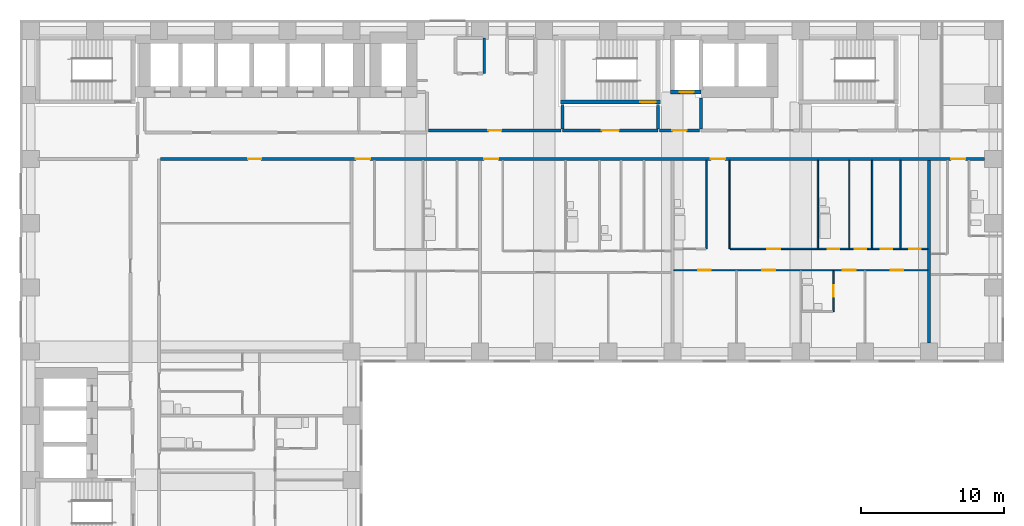
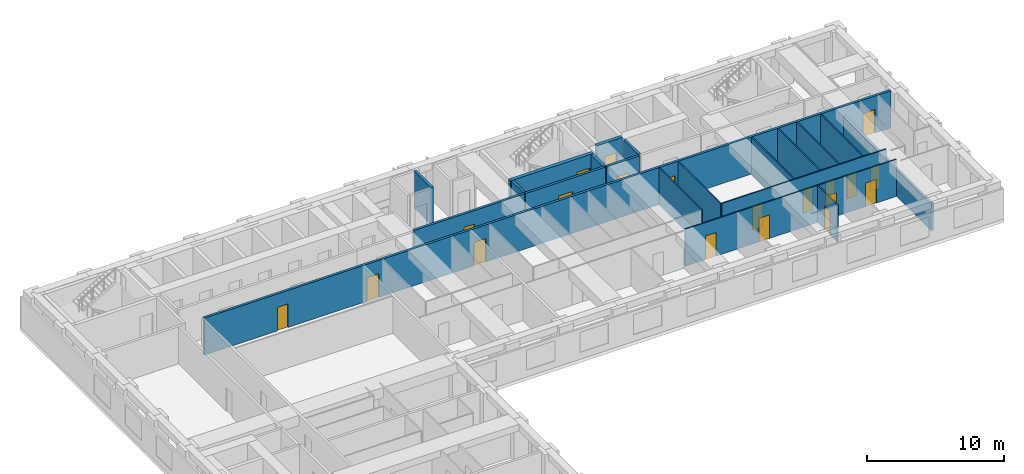
# One storey, part 7 of 11: 20 doors, 20 walls, 20 openings.
"""IFC4 building model written with IfcOpenShell, lengths in metres."""

from ifc_helpers import new_model, si_unit, direction, frame, frame_2d, origin, place, context, subcontext, project, spatial, rectangle, extrude, material, layer, layer_set, type_object, element, fill, save


model = new_model("IFC4")

# Units and contexts
model_context = context("Model", 3, precision=1e-05, world=origin(), true_north=direction((0.0, 1.0)))
body_context = subcontext(model_context, "Body", "Model", "MODEL_VIEW")
ifc_project = project(units=[si_unit("LENGTHUNIT", "METRE"), si_unit("AREAUNIT", "SQUARE_METRE"), si_unit("VOLUMEUNIT", "CUBIC_METRE"), si_unit("PLANEANGLEUNIT", "RADIAN"), si_unit("MASSUNIT", "GRAM", prefix="KILO")], contexts=[model_context])

# Site, building, storey
site_placement = place(None, origin())
site = spatial("IfcSite", under=ifc_project, at=site_placement, CompositionType="ELEMENT")
building_placement = place(site_placement, origin())
building = spatial("IfcBuilding", under=site, at=building_placement, Name="Firuza Court", CompositionType="ELEMENT")
storey_placement = place(building_placement, frame((0.0, 0.0, 86.60009765625)))
storey = spatial("IfcBuildingStorey", under=building, at=storey_placement, Name="L21", CompositionType="ELEMENT", Elevation=86.60009765625)

# Wall, opening, door
ifc_material_1 = material(Name="Moisture-resistant gypsum board partition")
ifc_layer_1 = layer(ifc_material_1, 0.10009765625)
ifc_layer_set_1 = layer_set([ifc_layer_1], Name="Moisture-resistant gypsum board partition")
wall_type_1 = type_object("IfcWallType", Name="Bathroom partition 100", PredefinedType="PLUMBINGWALL", material=ifc_layer_set_1)
wall_1_placement = place(storey_placement, frame((56.300048828125, 38.800048828125, 0.0), z_axis=(0.0, 0.0, 1.0), x_axis=(0.0, 1.0, 0.0)))
wall_1 = element("IfcWall", 1, at=wall_1_placement, inside=storey, type_object=wall_type_1, Name="Bathroom partition 100 L21", PredefinedType="PLUMBINGWALL", context=body_context, shape_type="SweptSolid", body=[
    extrude(rectangle(XDim=2.849853515625, YDim=0.10009765625, at=frame_2d((1.4248046875, 0.0))), origin(), (0.0, 0.0, 1.0), 3.2998046875),
])
opening_1_placement = place(wall_1_placement, frame((1.050048828125, 0.0, 0.0)))
opening_1 = element("IfcOpeningElement", 2, at=opening_1_placement, cuts=wall_1, Name="Opening D21042", PredefinedType="OPENING", context=body_context, shape_type="SweptSolid", body=[
    extrude(rectangle(XDim=0.800048828125, YDim=2.10009765625, at=frame_2d((0.39990234375, 1.050048828125))), frame((0.0, 0.06201171875, 0.0), z_axis=(0.0, -1.0, 0.0), x_axis=(1.0, 0.0, 0.0)), (0.0, 0.0, 1.0), 0.1240234375),
])
ifc_material_2 = material(Name="Timber door leaf in hardwood frame", Category="wood")
door_type_1 = type_object("IfcDoorType", Name="Bathroom door 800", OperationType="SINGLE_SWING_LEFT", PredefinedType="DOOR", material=ifc_material_2)
door_1_placement = place(opening_1_placement, origin())
door_1 = element("IfcDoor", 3, at=door_1_placement, inside=storey, type_object=door_type_1, Name="En-suite door", OperationType="SINGLE_SWING_LEFT", OverallHeight=2.10009765625, OverallWidth=0.800048828125, PredefinedType="DOOR", context=body_context, shape_type="SweptSolid", body=[
    extrude(rectangle(XDim=0.800048828125, YDim=2.10009765625, at=frame_2d((0.39990234375, 1.050048828125))), frame((0.0, 0.02490234375, 0.0), z_axis=(0.0, -1.0, 0.0), x_axis=(1.0, 0.0, 0.0)), (0.0, 0.0, 1.0), 0.050048828125),
])
fill(opening_1, door_1)

# Walls
wall_2_placement = place(storey_placement, frame((47.39990234375, 43.199951171875, 0.0), z_axis=(0.0, 0.0, 1.0), x_axis=(0.0, 1.0, 0.0)))
element("IfcWall", 4, at=wall_2_placement, inside=storey, type_object=wall_type_1, Name="Bathroom partition 100 L21", PredefinedType="PLUMBINGWALL", context=body_context, shape_type="SweptSolid", body=[
    extrude(rectangle(XDim=6.199951171875, YDim=0.10009765625, at=frame_2d((3.10009765625, 0.0))), origin(), (0.0, 0.0, 1.0), 3.2998046875),
])
for number, where, z_axis, x_axis, name in (
    (5, (55.199951171875, 43.25, 0.0), (0.0, 0.0, 1.0), (0.0, 1.0, 0.0), "Bathroom partition 100 L21"),
    (6, (57.39990234375, 43.25, 0.0), (0.0, 0.0, 1.0), (0.0, 1.0, 0.0), "Bathroom partition 100 L21"),
):
    element("IfcWall", number, at=place(storey_placement, frame(where, z_axis=z_axis, x_axis=x_axis)), inside=storey, type_object=wall_type_1, Name=name, PredefinedType="PLUMBINGWALL", context=body_context, shape_type="SweptSolid", body=[
        extrude(rectangle(XDim=6.14990234375, YDim=0.10009765625, at=frame_2d((3.074951171875, 0.0))), origin(), (0.0, 0.0, 1.0), 3.2998046875),
    ])

# Wall, opening, door
ifc_material_3 = material(Name="Concrete C60/75", Category="concrete")
ifc_layer_2 = layer(ifc_material_3, 0.300048828125)
ifc_layer_set_2 = layer_set([ifc_layer_2], Name="Concrete C60/75")
wall_type_2 = type_object("IfcWallType", Name="Core wall 300 C60/75", PredefinedType="SHEAR", material=ifc_layer_set_2)
wall_3_placement = place(storey_placement, frame((37.14990234375, 53.5, -0.300048828125), z_axis=(0.0, 0.0, 1.0), x_axis=(1.0, 0.0, 0.0)))
wall_3 = element("IfcWall", 7, at=wall_3_placement, inside=storey, type_object=wall_type_2, Name="Core wall stair L21", PredefinedType="SHEAR", context=body_context, shape_type="SweptSolid", body=[
    extrude(rectangle(XDim=7.0, YDim=0.300048828125, at=frame_2d((3.5, 0.0))), origin(), (0.0, 0.0, 1.0), 3.599853515625),
])
opening_2_placement = place(wall_3_placement, frame((5.580078125, 0.0, 0.300048828125)))
opening_2 = element("IfcOpeningElement", 8, at=opening_2_placement, cuts=wall_3, Name="Opening D21013", PredefinedType="OPENING", context=body_context, shape_type="SweptSolid", body=[
    extrude(rectangle(XDim=1.10009765625, YDim=2.10009765625, at=frame_2d((0.550048828125, 1.050048828125))), frame((0.0, 0.162109375, 0.0), z_axis=(0.0, -1.0, 0.0), x_axis=(1.0, 0.0, 0.0)), (0.0, 0.0, 1.0), 0.323974609375),
])
ifc_material_4 = material(Name="Timber door leaf in hardwood frame", Category="wood")
door_type_2 = type_object("IfcDoorType", Name="Stair door 1100", OperationType="SINGLE_SWING_LEFT", PredefinedType="DOOR", material=ifc_material_4)
door_2_placement = place(opening_2_placement, origin())
door_2 = element("IfcDoor", 9, at=door_2_placement, inside=storey, type_object=door_type_2, Name="Stair door S1", OperationType="SINGLE_SWING_RIGHT", OverallHeight=2.10009765625, OverallWidth=1.10009765625, PredefinedType="DOOR", context=body_context, shape_type="SweptSolid", body=[
    extrude(rectangle(XDim=1.10009765625, YDim=2.10009765625, at=frame_2d((0.550048828125, 1.050048828125))), frame((0.0, 0.02490234375, 0.0), z_axis=(0.0, -1.0, 0.0), x_axis=(1.0, 0.0, 0.0)), (0.0, 0.0, 1.0), 0.050048828125),
])
fill(opening_2, door_2)

wall_4_placement = place(storey_placement, frame((44.85009765625, 54.199951171875, -0.300048828125), z_axis=(0.0, 0.0, 1.0), x_axis=(1.0, 0.0, 0.0)))
wall_4 = element("IfcWall", 10, at=wall_4_placement, inside=storey, type_object=wall_type_2, Name="Core wall riser L21", PredefinedType="SHEAR", context=body_context, shape_type="SweptSolid", body=[
    extrude(rectangle(XDim=2.14990234375, YDim=0.300048828125, at=frame_2d((1.074951171875, 0.0))), origin(), (0.0, 0.0, 1.0), 3.599853515625),
])
opening_3_placement = place(wall_4_placement, frame((0.64990234375, 0.0, 0.300048828125)))
opening_3 = element("IfcOpeningElement", 11, at=opening_3_placement, cuts=wall_4, Name="Opening D21011", PredefinedType="OPENING", context=body_context, shape_type="SweptSolid", body=[
    extrude(rectangle(XDim=1.0, YDim=2.10009765625, at=frame_2d((0.5, 1.050048828125))), frame((0.0, 0.162109375, 0.0), z_axis=(0.0, -1.0, 0.0), x_axis=(1.0, 0.0, 0.0)), (0.0, 0.0, 1.0), 0.323974609375),
])
ifc_material_5 = material(Name="Timber door leaf in hardwood frame", Category="wood")
door_type_3 = type_object("IfcDoorType", Name="Riser door 1000", OperationType="SINGLE_SWING_LEFT", PredefinedType="DOOR", material=ifc_material_5)
door_3_placement = place(opening_3_placement, origin())
door_3 = element("IfcDoor", 12, at=door_3_placement, inside=storey, type_object=door_type_3, Name="Riser door R3", OperationType="SINGLE_SWING_LEFT", OverallHeight=2.10009765625, OverallWidth=1.0, PredefinedType="DOOR", context=body_context, shape_type="SweptSolid", body=[
    extrude(rectangle(XDim=1.0, YDim=2.10009765625, at=frame_2d((0.5, 1.050048828125))), frame((0.0, 0.02490234375, 0.0), z_axis=(0.0, -1.0, 0.0), x_axis=(1.0, 0.0, 0.0)), (0.0, 0.0, 1.0), 0.050048828125),
])
fill(opening_3, door_3)

# Wall, openings, doors
ifc_material_6 = material(Name="Blockwork, plastered both sides", Category="masonry")
ifc_layer_3 = layer(ifc_material_6, 0.199951171875)
ifc_layer_set_3 = layer_set([ifc_layer_3], Name="Blockwork, plastered both sides")
wall_type_3 = type_object("IfcWallType", Name="Corridor wall 200", PredefinedType="PARTITIONING", material=ifc_layer_set_3)
wall_5_placement = place(storey_placement, frame((9.10009765625, 49.5, 0.0), z_axis=(0.0, 0.0, 1.0), x_axis=(1.0, 0.0, 0.0)))
wall_5 = element("IfcWall", 13, at=wall_5_placement, inside=storey, type_object=wall_type_3, Name="Corridor wall 200 L21", PredefinedType="PARTITIONING", context=body_context, shape_type="SweptSolid", body=[
    extrude(rectangle(XDim=57.7998046875, YDim=0.199951171875, at=frame_2d((28.89990234375, 0.0))), origin(), (0.0, 0.0, 1.0), 3.2998046875),
])
opening_4_placement = place(wall_5_placement, frame((13.699951171875, 0.0, 0.0)))
opening_4 = element("IfcOpeningElement", 14, at=opening_4_placement, cuts=wall_5, Name="Opening D21068", PredefinedType="OPENING", context=body_context, shape_type="SweptSolid", body=[
    extrude(rectangle(XDim=1.0, YDim=2.10009765625, at=frame_2d((0.5, 1.050048828125))), frame((0.0, 0.11181640625, 0.0), z_axis=(0.0, -1.0, 0.0), x_axis=(1.0, 0.0, 0.0)), (0.0, 0.0, 1.0), 0.223876953125),
])
opening_5_placement = place(wall_5_placement, frame((22.699951171875, 0.0, 0.0)))
opening_5 = element("IfcOpeningElement", 15, at=opening_5_placement, cuts=wall_5, Name="Opening D21069", PredefinedType="OPENING", context=body_context, shape_type="SweptSolid", body=[
    extrude(rectangle(XDim=1.0, YDim=2.10009765625, at=frame_2d((0.5, 1.050048828125))), frame((0.0, 0.11181640625, 0.0), z_axis=(0.0, -1.0, 0.0), x_axis=(1.0, 0.0, 0.0)), (0.0, 0.0, 1.0), 0.223876953125),
])
opening_6_placement = place(wall_5_placement, frame((38.60009765625, 0.0, 0.0)))
opening_6 = element("IfcOpeningElement", 16, at=opening_6_placement, cuts=wall_5, Name="Opening D21070", PredefinedType="OPENING", context=body_context, shape_type="SweptSolid", body=[
    extrude(rectangle(XDim=1.0, YDim=2.10009765625, at=frame_2d((0.5, 1.050048828125))), frame((0.0, 0.11181640625, 0.0), z_axis=(0.0, -1.0, 0.0), x_axis=(1.0, 0.0, 0.0)), (0.0, 0.0, 1.0), 0.223876953125),
])
opening_7_placement = place(wall_5_placement, frame((55.449951171875, 0.0, 0.0)))
opening_7 = element("IfcOpeningElement", 17, at=opening_7_placement, cuts=wall_5, Name="Opening D21071", PredefinedType="OPENING", context=body_context, shape_type="SweptSolid", body=[
    extrude(rectangle(XDim=1.0, YDim=2.10009765625, at=frame_2d((0.5, 1.050048828125))), frame((0.0, 0.11181640625, 0.0), z_axis=(0.0, -1.0, 0.0), x_axis=(1.0, 0.0, 0.0)), (0.0, 0.0, 1.0), 0.223876953125),
])
opening_8_placement = place(wall_5_placement, frame((6.14990234375, 0.0, 0.0)))
opening_8 = element("IfcOpeningElement", 18, at=opening_8_placement, cuts=wall_5, Name="Opening D21072", PredefinedType="OPENING", context=body_context, shape_type="SweptSolid", body=[
    extrude(rectangle(XDim=0.89990234375, YDim=2.10009765625, at=frame_2d((0.449951171875, 1.050048828125))), frame((0.0, 0.11181640625, 0.0), z_axis=(0.0, -1.0, 0.0), x_axis=(1.0, 0.0, 0.0)), (0.0, 0.0, 1.0), 0.223876953125),
])
ifc_material_7 = material(Name="Timber door leaf in hardwood frame", Category="wood")
door_type_4 = type_object("IfcDoorType", Name="Flat entrance door 1000", OperationType="SINGLE_SWING_LEFT", PredefinedType="DOOR", material=ifc_material_7)
door_4_placement = place(opening_4_placement, origin())
door_4 = element("IfcDoor", 19, at=door_4_placement, inside=storey, type_object=door_type_4, Name="Flat entrance door", OperationType="SINGLE_SWING_LEFT", OverallHeight=2.10009765625, OverallWidth=1.0, PredefinedType="DOOR", context=body_context, shape_type="SweptSolid", body=[
    extrude(rectangle(XDim=1.0, YDim=2.10009765625, at=frame_2d((0.5, 1.050048828125))), frame((0.0, 0.02490234375, 0.0), z_axis=(0.0, -1.0, 0.0), x_axis=(1.0, 0.0, 0.0)), (0.0, 0.0, 1.0), 0.050048828125),
])
fill(opening_4, door_4)
door_5_placement = place(opening_5_placement, origin())
door_5 = element("IfcDoor", 20, at=door_5_placement, inside=storey, type_object=door_type_4, Name="Flat entrance door", OperationType="SINGLE_SWING_LEFT", OverallHeight=2.10009765625, OverallWidth=1.0, PredefinedType="DOOR", context=body_context, shape_type="SweptSolid", body=[
    extrude(rectangle(XDim=1.0, YDim=2.10009765625, at=frame_2d((0.5, 1.050048828125))), frame((0.0, 0.02490234375, 0.0), z_axis=(0.0, -1.0, 0.0), x_axis=(1.0, 0.0, 0.0)), (0.0, 0.0, 1.0), 0.050048828125),
])
fill(opening_5, door_5)
door_6_placement = place(opening_6_placement, origin())
door_6 = element("IfcDoor", 21, at=door_6_placement, inside=storey, type_object=door_type_4, Name="Flat entrance door", OperationType="SINGLE_SWING_LEFT", OverallHeight=2.10009765625, OverallWidth=1.0, PredefinedType="DOOR", context=body_context, shape_type="SweptSolid", body=[
    extrude(rectangle(XDim=1.0, YDim=2.10009765625, at=frame_2d((0.5, 1.050048828125))), frame((0.0, 0.02490234375, 0.0), z_axis=(0.0, -1.0, 0.0), x_axis=(1.0, 0.0, 0.0)), (0.0, 0.0, 1.0), 0.050048828125),
])
fill(opening_6, door_6)
door_7_placement = place(opening_7_placement, origin())
door_7 = element("IfcDoor", 22, at=door_7_placement, inside=storey, type_object=door_type_4, Name="Flat entrance door", OperationType="SINGLE_SWING_RIGHT", OverallHeight=2.10009765625, OverallWidth=1.0, PredefinedType="DOOR", context=body_context, shape_type="SweptSolid", body=[
    extrude(rectangle(XDim=1.0, YDim=2.10009765625, at=frame_2d((0.5, 1.050048828125))), frame((0.0, 0.02490234375, 0.0), z_axis=(0.0, -1.0, 0.0), x_axis=(1.0, 0.0, 0.0)), (0.0, 0.0, 1.0), 0.050048828125),
])
fill(opening_7, door_7)
ifc_material_8 = material(Name="Timber door leaf in hardwood frame", Category="wood")
door_type_5 = type_object("IfcDoorType", Name="Room door 900 EI 30", OperationType="SINGLE_SWING_LEFT", PredefinedType="DOOR", material=ifc_material_8)
door_8_placement = place(opening_8_placement, frame((0.89990234375, 0.0, 0.0), z_axis=(0.0, 0.0, 1.0), x_axis=(-1.0, 0.0, 0.0)))
door_8 = element("IfcDoor", 23, at=door_8_placement, inside=storey, type_object=door_type_5, Name="Library door", OperationType="SINGLE_SWING_RIGHT", OverallHeight=2.10009765625, OverallWidth=0.89990234375, PredefinedType="DOOR", context=body_context, shape_type="SweptSolid", body=[
    extrude(rectangle(XDim=0.89990234375, YDim=2.10009765625, at=frame_2d((0.449951171875, 1.050048828125))), frame((0.0, 0.02490234375, 0.0), z_axis=(0.0, -1.0, 0.0), x_axis=(1.0, 0.0, 0.0)), (0.0, 0.0, 1.0), 0.050048828125),
])
fill(opening_8, door_8)

# Wall, opening, door
wall_6_placement = place(storey_placement, frame((27.89990234375, 51.5, 0.0), z_axis=(0.0, 0.0, 1.0), x_axis=(1.0, 0.0, 0.0)))
wall_6 = element("IfcWall", 24, at=wall_6_placement, inside=storey, type_object=wall_type_3, Name="Corridor wall 200 L21", PredefinedType="PARTITIONING", context=body_context, shape_type="SweptSolid", body=[
    extrude(rectangle(XDim=9.300048828125, YDim=0.199951171875, at=frame_2d((4.64990234375, 0.0))), origin(), (0.0, 0.0, 1.0), 3.2998046875),
])
opening_9_placement = place(wall_6_placement, frame((4.199951171875, 0.0, 0.0)))
opening_9 = element("IfcOpeningElement", 25, at=opening_9_placement, cuts=wall_6, Name="Opening D21073", PredefinedType="OPENING", context=body_context, shape_type="SweptSolid", body=[
    extrude(rectangle(XDim=0.89990234375, YDim=2.10009765625, at=frame_2d((0.449951171875, 1.050048828125))), frame((0.0, 0.11181640625, 0.0), z_axis=(0.0, -1.0, 0.0), x_axis=(1.0, 0.0, 0.0)), (0.0, 0.0, 1.0), 0.223876953125),
])
door_9_placement = place(opening_9_placement, origin())
door_9 = element("IfcDoor", 26, at=door_9_placement, inside=storey, type_object=door_type_5, Name="Meeting room door", OperationType="SINGLE_SWING_LEFT", OverallHeight=2.10009765625, OverallWidth=0.89990234375, PredefinedType="DOOR", context=body_context, shape_type="SweptSolid", body=[
    extrude(rectangle(XDim=0.89990234375, YDim=2.10009765625, at=frame_2d((0.449951171875, 1.050048828125))), frame((0.0, 0.02490234375, 0.0), z_axis=(0.0, -1.0, 0.0), x_axis=(1.0, 0.0, 0.0)), (0.0, 0.0, 1.0), 0.050048828125),
])
fill(opening_9, door_9)

wall_7_placement = place(storey_placement, frame((44.10009765625, 51.5, 0.0), z_axis=(0.0, 0.0, 1.0), x_axis=(1.0, 0.0, 0.0)))
wall_7 = element("IfcWall", 27, at=wall_7_placement, inside=storey, type_object=wall_type_3, Name="Corridor wall 200 L21", PredefinedType="PARTITIONING", context=body_context, shape_type="SweptSolid", body=[
    extrude(rectangle(XDim=2.7998046875, YDim=0.199951171875, at=frame_2d((1.39990234375, 0.0))), origin(), (0.0, 0.0, 1.0), 3.2998046875),
])
opening_10_placement = place(wall_7_placement, frame((0.89990234375, 0.0, 0.0)))
opening_10 = element("IfcOpeningElement", 28, at=opening_10_placement, cuts=wall_7, Name="Opening D21074", PredefinedType="OPENING", context=body_context, shape_type="SweptSolid", body=[
    extrude(rectangle(XDim=1.0, YDim=2.10009765625, at=frame_2d((0.5, 1.050048828125))), frame((0.0, 0.11181640625, 0.0), z_axis=(0.0, -1.0, 0.0), x_axis=(1.0, 0.0, 0.0)), (0.0, 0.0, 1.0), 0.223876953125),
])
ifc_material_9 = material(Name="Timber door leaf in hardwood frame", Category="wood")
door_type_6 = type_object("IfcDoorType", Name="Store door 1000", OperationType="SINGLE_SWING_LEFT", PredefinedType="DOOR", material=ifc_material_9)
door_10_placement = place(opening_10_placement, origin())
door_10 = element("IfcDoor", 29, at=door_10_placement, inside=storey, type_object=door_type_6, Name="Valet store door", OperationType="SINGLE_SWING_LEFT", OverallHeight=2.10009765625, OverallWidth=1.0, PredefinedType="DOOR", context=body_context, shape_type="SweptSolid", body=[
    extrude(rectangle(XDim=1.0, YDim=2.10009765625, at=frame_2d((0.5, 1.050048828125))), frame((0.0, 0.02490234375, 0.0), z_axis=(0.0, -1.0, 0.0), x_axis=(1.0, 0.0, 0.0)), (0.0, 0.0, 1.0), 0.050048828125),
])
fill(opening_10, door_10)

# Wall, openings, doors
ifc_material_10 = material(Name="Timber stud partition, plasterboard both sides", Category="wood")
ifc_layer_4 = layer(ifc_material_10, 0.10009765625)
ifc_layer_set_4 = layer_set([ifc_layer_4], Name="Timber stud partition, plasterboard both sides")
wall_type_4 = type_object("IfcWallType", Name="Partition wall 100", PredefinedType="PARTITIONING", material=ifc_layer_set_4)
wall_8_placement = place(storey_placement, frame((45.10009765625, 41.699951171875, 0.0), z_axis=(0.0, 0.0, 1.0), x_axis=(1.0, 0.0, 0.0)))
wall_8 = element("IfcWall", 30, at=wall_8_placement, inside=storey, type_object=wall_type_4, Name="Partition wall 100 L21", PredefinedType="PARTITIONING", context=body_context, shape_type="SweptSolid", body=[
    extrude(rectangle(XDim=17.7998046875, YDim=0.10009765625, at=frame_2d((8.89990234375, 0.0))), origin(), (0.0, 0.0, 1.0), 3.2998046875),
])
opening_11_placement = place(wall_8_placement, frame((1.699951171875, 0.0, 0.0)))
opening_11 = element("IfcOpeningElement", 31, at=opening_11_placement, cuts=wall_8, Name="Opening D21048", PredefinedType="OPENING", context=body_context, shape_type="SweptSolid", body=[
    extrude(rectangle(XDim=0.89990234375, YDim=2.10009765625, at=frame_2d((0.449951171875, 1.050048828125))), frame((0.0, 0.06201171875, 0.0), z_axis=(0.0, -1.0, 0.0), x_axis=(1.0, 0.0, 0.0)), (0.0, 0.0, 1.0), 0.1240234375),
])
opening_12_placement = place(wall_8_placement, frame((6.199951171875, 0.0, 0.0)))
opening_12 = element("IfcOpeningElement", 32, at=opening_12_placement, cuts=wall_8, Name="Opening D21049", PredefinedType="OPENING", context=body_context, shape_type="SweptSolid", body=[
    extrude(rectangle(XDim=0.89990234375, YDim=2.10009765625, at=frame_2d((0.449951171875, 1.050048828125))), frame((0.0, 0.06201171875, 0.0), z_axis=(0.0, -1.0, 0.0), x_axis=(1.0, 0.0, 0.0)), (0.0, 0.0, 1.0), 0.1240234375),
])
opening_13_placement = place(wall_8_placement, frame((11.85009765625, 0.0, 0.0)))
opening_13 = element("IfcOpeningElement", 33, at=opening_13_placement, cuts=wall_8, Name="Opening D21050", PredefinedType="OPENING", context=body_context, shape_type="SweptSolid", body=[
    extrude(rectangle(XDim=0.89990234375, YDim=2.10009765625, at=frame_2d((0.449951171875, 1.050048828125))), frame((0.0, 0.06201171875, 0.0), z_axis=(0.0, -1.0, 0.0), x_axis=(1.0, 0.0, 0.0)), (0.0, 0.0, 1.0), 0.1240234375),
])
opening_14_placement = place(wall_8_placement, frame((15.199951171875, 0.0, 0.0)))
opening_14 = element("IfcOpeningElement", 34, at=opening_14_placement, cuts=wall_8, Name="Opening D21051", PredefinedType="OPENING", context=body_context, shape_type="SweptSolid", body=[
    extrude(rectangle(XDim=0.89990234375, YDim=2.10009765625, at=frame_2d((0.449951171875, 1.050048828125))), frame((0.0, 0.06201171875, 0.0), z_axis=(0.0, -1.0, 0.0), x_axis=(1.0, 0.0, 0.0)), (0.0, 0.0, 1.0), 0.1240234375),
])
ifc_material_11 = material(Name="Timber door leaf in hardwood frame", Category="wood")
door_type_7 = type_object("IfcDoorType", Name="Room door 900", OperationType="SINGLE_SWING_LEFT", PredefinedType="DOOR", material=ifc_material_11)
door_11_placement = place(opening_11_placement, frame((0.89990234375, 0.0, 0.0), z_axis=(0.0, 0.0, 1.0), x_axis=(-1.0, 0.0, 0.0)))
door_11 = element("IfcDoor", 35, at=door_11_placement, inside=storey, type_object=door_type_7, Name="Bedroom door", OperationType="SINGLE_SWING_RIGHT", OverallHeight=2.10009765625, OverallWidth=0.89990234375, PredefinedType="DOOR", context=body_context, shape_type="SweptSolid", body=[
    extrude(rectangle(XDim=0.89990234375, YDim=2.10009765625, at=frame_2d((0.449951171875, 1.050048828125))), frame((0.0, 0.02490234375, 0.0), z_axis=(0.0, -1.0, 0.0), x_axis=(1.0, 0.0, 0.0)), (0.0, 0.0, 1.0), 0.050048828125),
])
fill(opening_11, door_11)
door_12_placement = place(opening_12_placement, frame((0.89990234375, 0.0, 0.0), z_axis=(0.0, 0.0, 1.0), x_axis=(-1.0, 0.0, 0.0)))
door_12 = element("IfcDoor", 36, at=door_12_placement, inside=storey, type_object=door_type_7, Name="Living room door", OperationType="SINGLE_SWING_RIGHT", OverallHeight=2.10009765625, OverallWidth=0.89990234375, PredefinedType="DOOR", context=body_context, shape_type="SweptSolid", body=[
    extrude(rectangle(XDim=0.89990234375, YDim=2.10009765625, at=frame_2d((0.449951171875, 1.050048828125))), frame((0.0, 0.02490234375, 0.0), z_axis=(0.0, -1.0, 0.0), x_axis=(1.0, 0.0, 0.0)), (0.0, 0.0, 1.0), 0.050048828125),
])
fill(opening_12, door_12)
door_13_placement = place(opening_13_placement, frame((0.89990234375, 0.0, 0.0), z_axis=(0.0, 0.0, 1.0), x_axis=(-1.0, 0.0, 0.0)))
door_13 = element("IfcDoor", 37, at=door_13_placement, inside=storey, type_object=door_type_7, Name="Bedroom door", OperationType="SINGLE_SWING_RIGHT", OverallHeight=2.10009765625, OverallWidth=0.89990234375, PredefinedType="DOOR", context=body_context, shape_type="SweptSolid", body=[
    extrude(rectangle(XDim=0.89990234375, YDim=2.10009765625, at=frame_2d((0.449951171875, 1.050048828125))), frame((0.0, 0.02490234375, 0.0), z_axis=(0.0, -1.0, 0.0), x_axis=(1.0, 0.0, 0.0)), (0.0, 0.0, 1.0), 0.050048828125),
])
fill(opening_13, door_13)
door_14_placement = place(opening_14_placement, frame((0.89990234375, 0.0, 0.0), z_axis=(0.0, 0.0, 1.0), x_axis=(-1.0, 0.0, 0.0)))
door_14 = element("IfcDoor", 38, at=door_14_placement, inside=storey, type_object=door_type_7, Name="Bedroom door", OperationType="SINGLE_SWING_RIGHT", OverallHeight=2.10009765625, OverallWidth=0.89990234375, PredefinedType="DOOR", context=body_context, shape_type="SweptSolid", body=[
    extrude(rectangle(XDim=0.89990234375, YDim=2.10009765625, at=frame_2d((0.449951171875, 1.050048828125))), frame((0.0, 0.02490234375, 0.0), z_axis=(0.0, -1.0, 0.0), x_axis=(1.0, 0.0, 0.0)), (0.0, 0.0, 1.0), 0.050048828125),
])
fill(opening_14, door_14)

# Wall
wall_9_placement = place(storey_placement, frame((49.0, 43.199951171875, 0.0), z_axis=(0.0, 0.0, 1.0), x_axis=(0.0, 1.0, 0.0)))
element("IfcWall", 39, at=wall_9_placement, inside=storey, type_object=wall_type_4, Name="Partition wall 100 L21", PredefinedType="PARTITIONING", context=body_context, shape_type="SweptSolid", body=[
    extrude(rectangle(XDim=6.199951171875, YDim=0.10009765625, at=frame_2d((3.10009765625, 0.0))), origin(), (0.0, 0.0, 1.0), 3.2998046875),
])

# Wall, openings, doors
wall_10_placement = place(storey_placement, frame((49.050048828125, 43.199951171875, 0.0), z_axis=(0.0, 0.0, 1.0), x_axis=(1.0, 0.0, 0.0)))
wall_10 = element("IfcWall", 40, at=wall_10_placement, inside=storey, type_object=wall_type_4, Name="Partition wall 100 L21", PredefinedType="PARTITIONING", context=body_context, shape_type="SweptSolid", body=[
    extrude(rectangle(XDim=13.849853515625, YDim=0.10009765625, at=frame_2d((6.9248046875, 0.0))), origin(), (0.0, 0.0, 1.0), 3.2998046875),
])
opening_15_placement = place(wall_10_placement, frame((6.85009765625, 0.0, 0.0)))
opening_15 = element("IfcOpeningElement", 41, at=opening_15_placement, cuts=wall_10, Name="Opening D21062", PredefinedType="OPENING", context=body_context, shape_type="SweptSolid", body=[
    extrude(rectangle(XDim=0.800048828125, YDim=2.10009765625, at=frame_2d((0.39990234375, 1.050048828125))), frame((0.0, 0.06201171875, 0.0), z_axis=(0.0, -1.0, 0.0), x_axis=(1.0, 0.0, 0.0)), (0.0, 0.0, 1.0), 0.1240234375),
])
opening_16_placement = place(wall_10_placement, frame((2.60009765625, 0.0, 0.0)))
opening_16 = element("IfcOpeningElement", 42, at=opening_16_placement, cuts=wall_10, Name="Opening D21063", PredefinedType="OPENING", context=body_context, shape_type="SweptSolid", body=[
    extrude(rectangle(XDim=0.89990234375, YDim=2.10009765625, at=frame_2d((0.449951171875, 1.050048828125))), frame((0.0, 0.06201171875, 0.0), z_axis=(0.0, -1.0, 0.0), x_axis=(1.0, 0.0, 0.0)), (0.0, 0.0, 1.0), 0.1240234375),
])
opening_17_placement = place(wall_10_placement, frame((12.550048828125, 0.0, 0.0)))
opening_17 = element("IfcOpeningElement", 43, at=opening_17_placement, cuts=wall_10, Name="Opening D21064", PredefinedType="OPENING", context=body_context, shape_type="SweptSolid", body=[
    extrude(rectangle(XDim=0.800048828125, YDim=2.10009765625, at=frame_2d((0.39990234375, 1.050048828125))), frame((0.0, 0.06201171875, 0.0), z_axis=(0.0, -1.0, 0.0), x_axis=(1.0, 0.0, 0.0)), (0.0, 0.0, 1.0), 0.1240234375),
])
opening_18_placement = place(wall_10_placement, frame((8.75, 0.0, 0.0)))
opening_18 = element("IfcOpeningElement", 44, at=opening_18_placement, cuts=wall_10, Name="Opening D21065", PredefinedType="OPENING", context=body_context, shape_type="SweptSolid", body=[
    extrude(rectangle(XDim=0.800048828125, YDim=2.10009765625, at=frame_2d((0.39990234375, 1.050048828125))), frame((0.0, 0.06201171875, 0.0), z_axis=(0.0, -1.0, 0.0), x_axis=(1.0, 0.0, 0.0)), (0.0, 0.0, 1.0), 0.1240234375),
])
opening_19_placement = place(wall_10_placement, frame((10.550048828125, 0.0, 0.0)))
opening_19 = element("IfcOpeningElement", 45, at=opening_19_placement, cuts=wall_10, Name="Opening D21066", PredefinedType="OPENING", context=body_context, shape_type="SweptSolid", body=[
    extrude(rectangle(XDim=0.800048828125, YDim=2.10009765625, at=frame_2d((0.39990234375, 1.050048828125))), frame((0.0, 0.06201171875, 0.0), z_axis=(0.0, -1.0, 0.0), x_axis=(1.0, 0.0, 0.0)), (0.0, 0.0, 1.0), 0.1240234375),
])
door_15_placement = place(opening_15_placement, origin())
door_15 = element("IfcDoor", 46, at=door_15_placement, inside=storey, type_object=door_type_1, Name="Bathroom 2 door", OperationType="SINGLE_SWING_LEFT", OverallHeight=2.10009765625, OverallWidth=0.800048828125, PredefinedType="DOOR", context=body_context, shape_type="SweptSolid", body=[
    extrude(rectangle(XDim=0.800048828125, YDim=2.10009765625, at=frame_2d((0.39990234375, 1.050048828125))), frame((0.0, 0.02490234375, 0.0), z_axis=(0.0, -1.0, 0.0), x_axis=(1.0, 0.0, 0.0)), (0.0, 0.0, 1.0), 0.050048828125),
])
fill(opening_15, door_15)
ifc_material_12 = material(Name="Timber door leaf in hardwood frame", Category="wood")
door_type_8 = type_object("IfcDoorType", Name="Room door 800", OperationType="SINGLE_SWING_LEFT", PredefinedType="DOOR", material=ifc_material_12)
door_16_placement = place(opening_17_placement, origin())
door_16 = element("IfcDoor", 47, at=door_16_placement, inside=storey, type_object=door_type_8, Name="Pantry door", OperationType="SINGLE_SWING_LEFT", OverallHeight=2.10009765625, OverallWidth=0.800048828125, PredefinedType="DOOR", context=body_context, shape_type="SweptSolid", body=[
    extrude(rectangle(XDim=0.800048828125, YDim=2.10009765625, at=frame_2d((0.39990234375, 1.050048828125))), frame((0.0, 0.02490234375, 0.0), z_axis=(0.0, -1.0, 0.0), x_axis=(1.0, 0.0, 0.0)), (0.0, 0.0, 1.0), 0.050048828125),
])
fill(opening_17, door_16)
door_17_placement = place(opening_18_placement, origin())
door_17 = element("IfcDoor", 48, at=door_17_placement, inside=storey, type_object=door_type_8, Name="Store door", OperationType="SINGLE_SWING_LEFT", OverallHeight=2.10009765625, OverallWidth=0.800048828125, PredefinedType="DOOR", context=body_context, shape_type="SweptSolid", body=[
    extrude(rectangle(XDim=0.800048828125, YDim=2.10009765625, at=frame_2d((0.39990234375, 1.050048828125))), frame((0.0, 0.02490234375, 0.0), z_axis=(0.0, -1.0, 0.0), x_axis=(1.0, 0.0, 0.0)), (0.0, 0.0, 1.0), 0.050048828125),
])
fill(opening_18, door_17)
door_18_placement = place(opening_19_placement, origin())
door_18 = element("IfcDoor", 49, at=door_18_placement, inside=storey, type_object=door_type_8, Name="Utility room door", OperationType="SINGLE_SWING_LEFT", OverallHeight=2.10009765625, OverallWidth=0.800048828125, PredefinedType="DOOR", context=body_context, shape_type="SweptSolid", body=[
    extrude(rectangle(XDim=0.800048828125, YDim=2.10009765625, at=frame_2d((0.39990234375, 1.050048828125))), frame((0.0, 0.02490234375, 0.0), z_axis=(0.0, -1.0, 0.0), x_axis=(1.0, 0.0, 0.0)), (0.0, 0.0, 1.0), 0.050048828125),
])
fill(opening_19, door_18)
door_19_placement = place(opening_16_placement, origin())
door_19 = element("IfcDoor", 50, at=door_19_placement, inside=storey, type_object=door_type_7, Name="Kitchen door", OperationType="SINGLE_SWING_LEFT", OverallHeight=2.10009765625, OverallWidth=0.89990234375, PredefinedType="DOOR", context=body_context, shape_type="SweptSolid", body=[
    extrude(rectangle(XDim=0.89990234375, YDim=2.10009765625, at=frame_2d((0.449951171875, 1.050048828125))), frame((0.0, 0.02490234375, 0.0), z_axis=(0.0, -1.0, 0.0), x_axis=(1.0, 0.0, 0.0)), (0.0, 0.0, 1.0), 0.050048828125),
])
fill(opening_16, door_19)

# Walls
for number, where, z_axis, x_axis, name in (
    (51, (59.0, 43.25, 0.0), (0.0, 0.0, 1.0), (0.0, 1.0, 0.0), "Partition wall 100 L21"),
    (52, (61.0, 43.25, 0.0), (0.0, 0.0, 1.0), (0.0, 1.0, 0.0), "Partition wall 100 L21"),
):
    element("IfcWall", number, at=place(storey_placement, frame(where, z_axis=z_axis, x_axis=x_axis)), inside=storey, type_object=wall_type_4, Name=name, PredefinedType="PARTITIONING", context=body_context, shape_type="SweptSolid", body=[
        extrude(rectangle(XDim=6.14990234375, YDim=0.10009765625, at=frame_2d((3.074951171875, 0.0))), origin(), (0.0, 0.0, 1.0), 3.2998046875),
    ])
ifc_layer_5 = layer(ifc_material_6, 0.199951171875)
ifc_layer_set_5 = layer_set([ifc_layer_5], Name="Blockwork, plastered both sides")
wall_type_5 = type_object("IfcWallType", Name="Party wall 200", PredefinedType="PARTITIONING", material=ifc_layer_set_5)
wall_11_placement = place(storey_placement, frame((63.0, 36.60009765625, 0.0), z_axis=(0.0, 0.0, 1.0), x_axis=(0.0, 1.0, 0.0)))
element("IfcWall", 53, at=wall_11_placement, inside=storey, type_object=wall_type_5, Name="Party wall 200 L21", PredefinedType="PARTITIONING", context=body_context, shape_type="SweptSolid", body=[
    extrude(rectangle(XDim=12.7998046875, YDim=0.199951171875, at=frame_2d((6.39990234375, 0.0))), origin(), (0.0, 0.0, 1.0), 2.39990234375),
])
ifc_material_13 = material(Name="Blockwork, fire-rated", Category="masonry")
ifc_layer_6 = layer(ifc_material_13, 0.199951171875)
ifc_layer_set_6 = layer_set([ifc_layer_6], Name="Blockwork, fire-rated")
wall_type_6 = type_object("IfcWallType", Name="Plant room wall 200", PredefinedType="PARTITIONING", material=ifc_layer_set_6)
wall_12_placement = place(storey_placement, frame((31.800048828125, 55.5, 0.0), z_axis=(0.0, 0.0, 1.0), x_axis=(0.0, 1.0, 0.0)))
element("IfcWall", 54, at=wall_12_placement, inside=storey, type_object=wall_type_6, Name="Plant room wall 200 L21", PredefinedType="PARTITIONING", context=body_context, shape_type="SweptSolid", body=[
    extrude(rectangle(XDim=2.5, YDim=0.199951171875, at=frame_2d((1.25, 0.0))), origin(), (0.0, 0.0, 1.0), 3.2998046875),
])
ifc_layer_7 = layer(ifc_material_13, 0.199951171875)
ifc_layer_set_7 = layer_set([ifc_layer_7], Name="Blockwork, fire-rated")
wall_type_7 = type_object("IfcWallType", Name="Shaft wall 200", PredefinedType="PARTITIONING", material=ifc_layer_set_7)
wall_13_placement = place(storey_placement, frame((47.0, 51.60009765625, 0.0), z_axis=(0.0, 0.0, 1.0), x_axis=(0.0, 1.0, 0.0)))
element("IfcWall", 55, at=wall_13_placement, inside=storey, type_object=wall_type_7, Name="Shaft wall 200 L21", PredefinedType="PARTITIONING", context=body_context, shape_type="SweptSolid", body=[
    extrude(rectangle(XDim=2.179931640625, YDim=0.199951171875, at=frame_2d((1.08984375, 0.0))), origin(), (0.0, 0.0, 1.0), 3.2998046875),
])

# Wall, opening, door
wall_14_placement = place(storey_placement, frame((37.300048828125, 51.5, 0.0), z_axis=(0.0, 0.0, 1.0), x_axis=(1.0, 0.0, 0.0)))
wall_14 = element("IfcWall", 56, at=wall_14_placement, inside=storey, type_object=wall_type_7, Name="Shaft wall 200 L21", PredefinedType="PARTITIONING", context=body_context, shape_type="SweptSolid", body=[
    extrude(rectangle(XDim=6.699951171875, YDim=0.199951171875, at=frame_2d((3.35009765625, 0.0))), origin(), (0.0, 0.0, 1.0), 3.2998046875),
])
opening_20_placement = place(wall_14_placement, frame((2.75, 0.0, 0.0)))
opening_20 = element("IfcOpeningElement", 57, at=opening_20_placement, cuts=wall_14, Name="Opening D21006", PredefinedType="OPENING", context=body_context, shape_type="SweptSolid", body=[
    extrude(rectangle(XDim=1.199951171875, YDim=2.10009765625, at=frame_2d((0.60009765625, 1.050048828125))), frame((0.0, 0.11181640625, 0.0), z_axis=(0.0, -1.0, 0.0), x_axis=(1.0, 0.0, 0.0)), (0.0, 0.0, 1.0), 0.223876953125),
])
ifc_material_14 = material(Name="Timber door leaf in hardwood frame", Category="wood")
door_type_9 = type_object("IfcDoorType", Name="Lobby door 1200", OperationType="SINGLE_SWING_LEFT", PredefinedType="DOOR", material=ifc_material_14)
door_20_placement = place(opening_20_placement, origin())
door_20 = element("IfcDoor", 58, at=door_20_placement, inside=storey, type_object=door_type_9, Name="Lobby door", OperationType="SINGLE_SWING_LEFT", OverallHeight=2.10009765625, OverallWidth=1.199951171875, PredefinedType="DOOR", context=body_context, shape_type="SweptSolid", body=[
    extrude(rectangle(XDim=1.199951171875, YDim=2.10009765625, at=frame_2d((0.60009765625, 1.050048828125))), frame((0.0, 0.02490234375, 0.0), z_axis=(0.0, -1.0, 0.0), x_axis=(1.0, 0.0, 0.0)), (0.0, 0.0, 1.0), 0.050048828125),
])
fill(opening_20, door_20)

# Walls
for number, where, z_axis, x_axis, name in (
    (59, (44.0, 51.60009765625, 0.0), (0.0, 0.0, 1.0), (0.0, 1.0, 0.0), "Shaft wall 200 L21"),
    (60, (37.300048828125, 51.60009765625, 0.0), (0.0, 0.0, 1.0), (0.0, 1.0, 0.0), "Shaft wall 200 L21"),
):
    element("IfcWall", number, at=place(storey_placement, frame(where, z_axis=z_axis, x_axis=x_axis)), inside=storey, type_object=wall_type_7, Name=name, PredefinedType="PARTITIONING", context=body_context, shape_type="SweptSolid", body=[
        extrude(rectangle(XDim=1.72998046875, YDim=0.199951171875, at=frame_2d((0.864990234375, 0.0))), origin(), (0.0, 0.0, 1.0), 3.2998046875),
    ])

save(model, "model.ifc")
